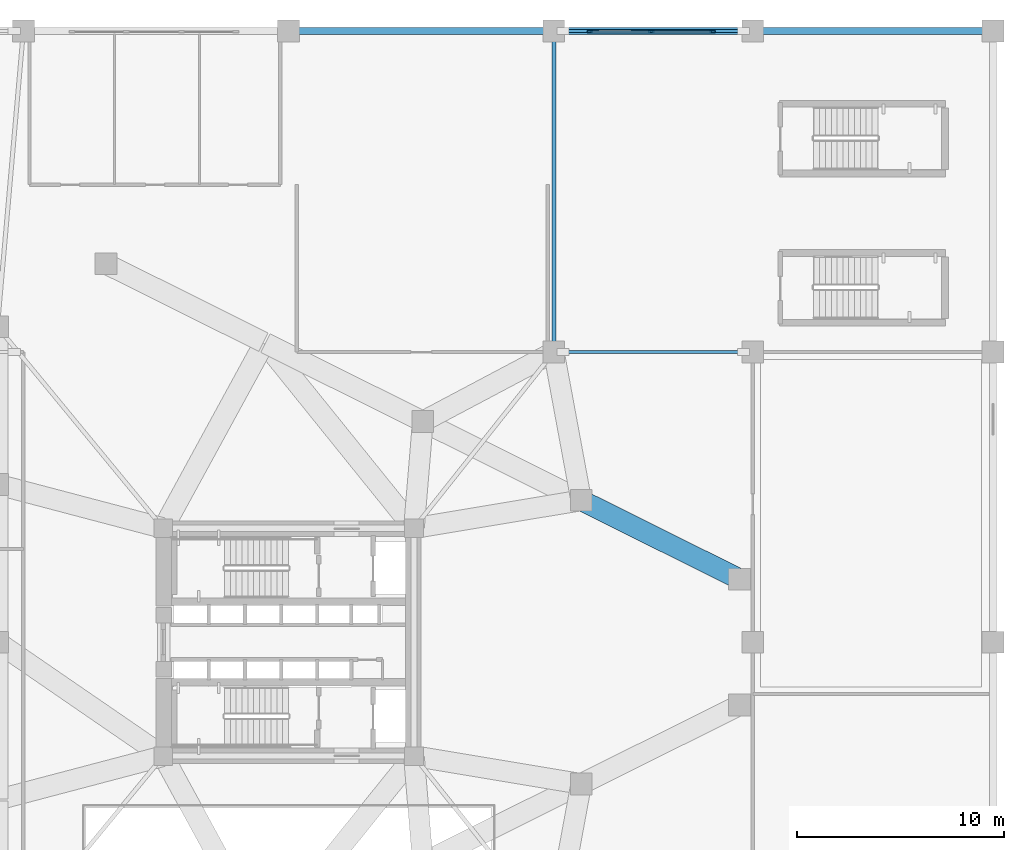
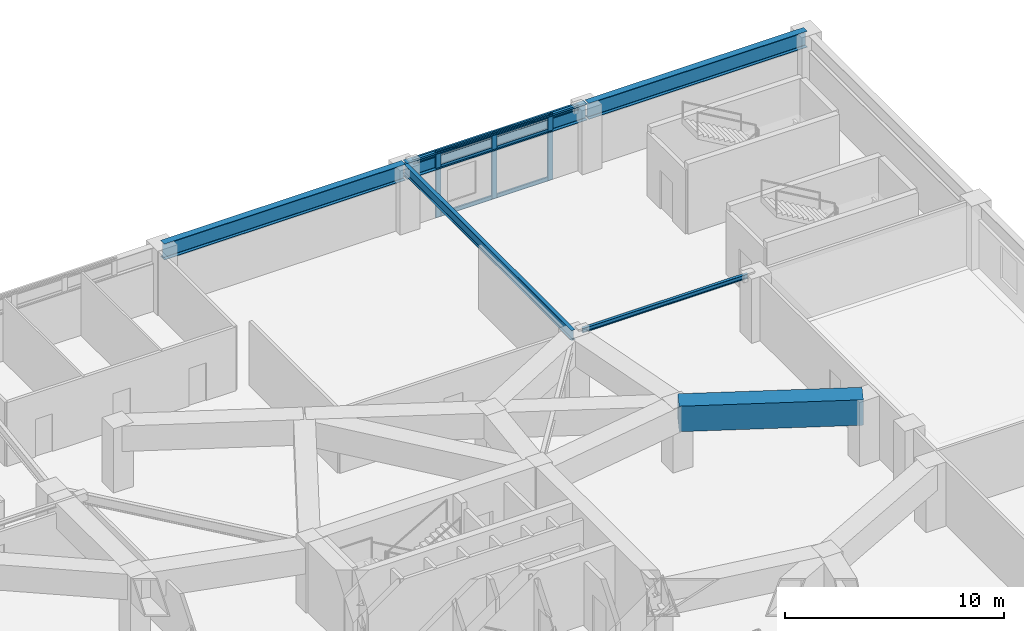
# One storey, part 3 of 16: 11 members, 5 beams, 1 element without a shape of its own.
"""IFC4 building model written with IfcOpenShell, lengths in metres."""

from ifc_helpers import new_model, si_unit, direction, frame, origin, origin_2d, place, context, subcontext, project, spatial, rectangle, hollow_rectangle, i_section, extrude, source, transform, mapped, material, layer, layer_set, material_profile, profile_set, type_object, element, aggregate, save


model = new_model("IFC4")

# Units and contexts
model_context = context("Model", 3, precision=1e-05, world=origin(), true_north=direction((0.0, 1.0)))
body_context = subcontext(model_context, "Body", "Model", "MODEL_VIEW")
ifc_project = project(units=[si_unit("LENGTHUNIT", "METRE"), si_unit("AREAUNIT", "SQUARE_METRE"), si_unit("VOLUMEUNIT", "CUBIC_METRE"), si_unit("PLANEANGLEUNIT", "RADIAN"), si_unit("MASSUNIT", "GRAM", prefix="KILO")], contexts=[model_context])

# Site, building, storey
site_placement = place(None, origin())
site = spatial("IfcSite", under=ifc_project, at=site_placement, CompositionType="ELEMENT")
building_placement = place(site_placement, origin())
building = spatial("IfcBuilding", under=site, at=building_placement, Name="Yunling Apex Tower", CompositionType="ELEMENT")
storey_placement = place(building_placement, frame((0.0, 0.0, 16.199951171875)))
storey = spatial("IfcBuildingStorey", under=building, at=storey_placement, Name="L05", CompositionType="ELEMENT", Elevation=16.199951171875)

# Beams
ifc_material_1 = material(Name="Steel Q355B", Category="steel")
ifc_material_profile_1 = material_profile(ifc_material_1, i_section(OverallWidth=0.35009765625, OverallDepth=0.89990234375, WebThickness=0.01806640625, FlangeThickness=0.028076171875, FilletRadius=0.02392578125, at=origin_2d()))
ifc_profile_set_1 = profile_set([ifc_material_profile_1], Name="Steel Q355B")
beam_type_1 = type_object("IfcBeamType", Name="BG-PRI-1", PredefinedType="USERDEFINED", material=ifc_profile_set_1)
shared_shape_1 = source(origin(), body_context, "Body", "SweptSolid", [
    extrude(i_section(OverallWidth=0.35009765625, OverallDepth=0.89990234375, WebThickness=0.01806640625, FlangeThickness=0.028076171875, FilletRadius=0.02392578125, at=origin_2d()), origin(), (0.0, 0.0, 1.0), 11.52001953125),
])
beam_1_placement = place(storey_placement, frame((22.43994140625, 29.5, 3.130126953125), z_axis=(1.0, 0.0, 0.0), x_axis=(0.0, 1.0, 0.0)))
element("IfcBeam", 1, at=beam_1_placement, inside=storey, type_object=beam_type_1, Name="L05 Podium Edge Girder 12", ObjectType="GIRDER", PredefinedType="USERDEFINED", context=body_context, shape_type="MappedRepresentation", body=[
    mapped(shared_shape_1, transform((0.0, 0.0, 0.0), scale=1.0)),
])
shared_shape_2 = source(origin(), body_context, "Body", "SweptSolid", [
    extrude(i_section(OverallWidth=0.35009765625, OverallDepth=0.89990234375, WebThickness=0.01806640625, FlangeThickness=0.028076171875, FilletRadius=0.02392578125, at=origin_2d()), origin(), (0.0, 0.0, 1.0), 9.52001953125),
])
beam_2_placement = place(storey_placement, frame((12.840087890625, 29.5, 3.130126953125), z_axis=(1.0, 0.0, 0.0), x_axis=(0.0, 1.0, 0.0)))
element("IfcBeam", 2, at=beam_2_placement, inside=storey, type_object=beam_type_1, Name="L05 Podium Edge Girder 11", ObjectType="GIRDER", PredefinedType="USERDEFINED", context=body_context, shape_type="MappedRepresentation", body=[
    mapped(shared_shape_2, transform((0.0, 0.0, 0.0), scale=1.0)),
])
shared_shape_3 = source(origin(), body_context, "Body", "SweptSolid", [
    extrude(i_section(OverallWidth=0.35009765625, OverallDepth=0.89990234375, WebThickness=0.01806640625, FlangeThickness=0.028076171875, FilletRadius=0.02392578125, at=origin_2d()), origin(), (0.0, 0.0, 1.0), 12.719970703125),
])
beam_3_placement = place(storey_placement, frame((0.0400390625, 29.5, 3.130126953125), z_axis=(1.0, 0.0, 0.0), x_axis=(0.0, 1.0, 0.0)))
element("IfcBeam", 3, at=beam_3_placement, inside=storey, type_object=beam_type_1, Name="L05 Podium Edge Girder 10", ObjectType="GIRDER", PredefinedType="USERDEFINED", context=body_context, shape_type="MappedRepresentation", body=[
    mapped(shared_shape_3, transform((0.0, 0.0, 0.0), scale=1.0)),
])
ifc_material_profile_2 = material_profile(ifc_material_1, i_section(OverallWidth=0.199951171875, OverallDepth=0.550048828125, WebThickness=0.010009765625, FlangeThickness=0.01611328125, FilletRadius=0.02001953125, at=origin_2d()))
ifc_profile_set_2 = profile_set([ifc_material_profile_2], Name="Steel Q355B")
beam_type_2 = type_object("IfcBeamType", Name="BS-SEC-1", PredefinedType="BEAM", material=ifc_profile_set_2)
shared_shape_4 = source(origin(), body_context, "Body", "SweptSolid", [
    extrude(i_section(OverallWidth=0.199951171875, OverallDepth=0.550048828125, WebThickness=0.010009765625, FlangeThickness=0.01611328125, FilletRadius=0.02001953125, at=origin_2d()), origin(), (0.0, 0.0, 1.0), 15.419921875),
])
beam_4_placement = place(storey_placement, frame((12.800048828125, 29.4599609375, 3.304931640625), z_axis=(0.0, -1.0, 0.0), x_axis=(1.0, 0.0, 0.0)))
element("IfcBeam", 4, at=beam_4_placement, inside=storey, type_object=beam_type_2, Name="L05 Podium Secondary Beam 3", PredefinedType="BEAM", context=body_context, shape_type="MappedRepresentation", body=[
    mapped(shared_shape_4, transform((0.0, 0.0, 0.0), scale=1.0)),
])
ifc_material_2 = material(Name="Steel Q390GJC", Category="steel")
ifc_material_profile_3 = material_profile(ifc_material_2, hollow_rectangle(XDim=1.0, YDim=1.419921875, WallThickness=0.054931640625, at=origin_2d()))
ifc_profile_set_3 = profile_set([ifc_material_profile_3], Name="Steel Q390GJC")
beam_type_3 = type_object("IfcBeamType", Name="BTPOD-1", PredefinedType="USERDEFINED", material=ifc_profile_set_3)
shared_shape_5 = source(origin(), body_context, "Body", "SweptSolid", [
    extrude(hollow_rectangle(XDim=1.0, YDim=1.419921875, WallThickness=0.054931640625, at=origin_2d()), origin(), (0.0, 0.0, 1.0), 8.43896484375),
])
beam_5_placement = place(storey_placement, frame((21.721435546875, 3.06103515625, 2.8701171875), z_axis=(-0.895241531169, 0.445581194476, 0.0), x_axis=(-0.445581194476, -0.895241531169, 0.0)))
element("IfcBeam", 5, at=beam_5_placement, inside=storey, type_object=beam_type_3, Name="L05 Podium-to-Tower Box Transfer Girder 6", ObjectType="GIRDER", PredefinedType="USERDEFINED", context=body_context, shape_type="MappedRepresentation", body=[
    mapped(shared_shape_5, transform((0.0, 0.0, 0.0), scale=1.0)),
])

# Members
ifc_material_profile_4 = material_profile(ifc_material_1, i_section(OverallWidth=0.14990234375, OverallDepth=0.25, WebThickness=0.008056640625, FlangeThickness=0.011962890625, FilletRadius=0.011962890625, at=origin_2d()))
ifc_profile_set_4 = profile_set([ifc_material_profile_4], Name="Steel Q355B")
member_type_1 = type_object("IfcMemberType", Name="CR-PUR-2", PredefinedType="PURLIN", material=ifc_profile_set_4)
shared_shape_6 = source(origin(), body_context, "Body", "SweptSolid", [
    extrude(i_section(OverallWidth=0.14990234375, OverallDepth=0.25, WebThickness=0.008056640625, FlangeThickness=0.011962890625, FilletRadius=0.011962890625, at=origin_2d()), origin(), (0.0, 0.0, 1.0), 8.719970703125),
])
for number, where, z_axis, x_axis, name in (
    (6, (13.239990234375, 14.0, 3.455078125), (1.0, 0.0, 0.0), (0.0, 1.0, 0.0), "L05 Garden Deck Glazing Purlin 5"),
    (7, (13.239990234375, 29.5, 3.455078125), (1.0, 0.0, 0.0), (0.0, 1.0, 0.0), "L05 Garden Deck Glazing Purlin 6"),
):
    element("IfcMember", number, at=place(storey_placement, frame(where, z_axis=z_axis, x_axis=x_axis)), inside=storey, type_object=member_type_1, Name=name, PredefinedType="PURLIN", context=body_context, shape_type="MappedRepresentation", body=[
        mapped(shared_shape_6, transform((0.0, 0.0, 0.0), scale=1.0)),
    ])

# Curtain wall, members
ifc_material_3 = material(Name="Bronze anodised aluminium", Category="aluminium")
ifc_layer = layer(ifc_material_3, 0.280029296875)
ifc_layer_set = layer_set([ifc_layer], Name="Bronze anodised aluminium")
curtain_wall_type = type_object("IfcCurtainWallType", Name="CW-SYS-1", PredefinedType="NOTDEFINED", material=ifc_layer_set)
curtain_wall_placement = place(storey_placement, origin())
curtain_wall = element("IfcCurtainWall", 8, at=curtain_wall_placement, inside=storey, type_object=curtain_wall_type, Name="CW-POD-L05-2", PredefinedType="NOTDEFINED")
ifc_material_profile_5 = material_profile(ifc_material_3, rectangle(XDim=0.090087890625, YDim=0.215087890625, at=origin_2d()))
ifc_profile_set_5 = profile_set([ifc_material_profile_5], Name="Bronze anodised aluminium")
member_type_2 = type_object("IfcMemberType", Name="CW-TRN-1", PredefinedType="USERDEFINED", material=ifc_profile_set_5)
shared_shape_7 = source(origin(), body_context, "Body", "SweptSolid", [
    extrude(rectangle(XDim=0.090087890625, YDim=0.215087890625, at=origin_2d()), origin(), (0.0, 0.0, 1.0), 2.8740234375),
])
member_1_placement = place(storey_placement, frame((14.58544921875, 29.449951171875, 0.045166015625), z_axis=(1.0, 0.0, 0.0), x_axis=(0.0, 1.0, 0.0)))
member_1 = element("IfcMember", 9, at=member_1_placement, type_object=member_type_2, Name="CW-SYS-1 transom 1.1", ObjectType="TRANSOM", PredefinedType="USERDEFINED", context=body_context, shape_type="MappedRepresentation", body=[
    mapped(shared_shape_7, transform((0.0, 0.0, 0.0), scale=1.0)),
])
member_2_placement = place(storey_placement, frame((14.58544921875, 29.449951171875, 2.72998046875), z_axis=(1.0, 0.0, 0.0), x_axis=(0.0, 1.0, 0.0)))
member_2 = element("IfcMember", 10, at=member_2_placement, type_object=member_type_2, Name="CW-SYS-1 transom 1.2", ObjectType="TRANSOM", PredefinedType="USERDEFINED", context=body_context, shape_type="MappedRepresentation", body=[
    mapped(shared_shape_7, transform((0.0, 0.0, 0.0), scale=1.0)),
])
member_3_placement = place(storey_placement, frame((14.58544921875, 29.449951171875, 3.53515625), z_axis=(1.0, 0.0, 0.0), x_axis=(0.0, 1.0, 0.0)))
member_3 = element("IfcMember", 11, at=member_3_placement, type_object=member_type_2, Name="CW-SYS-1 transom 1.3", ObjectType="TRANSOM", PredefinedType="USERDEFINED", context=body_context, shape_type="MappedRepresentation", body=[
    mapped(shared_shape_7, transform((0.0, 0.0, 0.0), scale=1.0)),
])
member_4_placement = place(storey_placement, frame((17.54052734375, 29.449951171875, 0.045166015625), z_axis=(1.0, 0.0, 0.0), x_axis=(0.0, 1.0, 0.0)))
member_4 = element("IfcMember", 12, at=member_4_placement, type_object=member_type_2, Name="CW-SYS-1 transom 2.1", ObjectType="TRANSOM", PredefinedType="USERDEFINED", context=body_context, shape_type="MappedRepresentation", body=[
    mapped(shared_shape_7, transform((0.0, 0.0, 0.0), scale=1.0)),
])
member_5_placement = place(storey_placement, frame((17.54052734375, 29.449951171875, 2.72998046875), z_axis=(1.0, 0.0, 0.0), x_axis=(0.0, 1.0, 0.0)))
member_5 = element("IfcMember", 13, at=member_5_placement, type_object=member_type_2, Name="CW-SYS-1 transom 2.2", ObjectType="TRANSOM", PredefinedType="USERDEFINED", context=body_context, shape_type="MappedRepresentation", body=[
    mapped(shared_shape_7, transform((0.0, 0.0, 0.0), scale=1.0)),
])
member_6_placement = place(storey_placement, frame((17.54052734375, 29.449951171875, 3.53515625), z_axis=(1.0, 0.0, 0.0), x_axis=(0.0, 1.0, 0.0)))
member_6 = element("IfcMember", 14, at=member_6_placement, type_object=member_type_2, Name="CW-SYS-1 transom 2.3", ObjectType="TRANSOM", PredefinedType="USERDEFINED", context=body_context, shape_type="MappedRepresentation", body=[
    mapped(shared_shape_7, transform((0.0, 0.0, 0.0), scale=1.0)),
])
ifc_material_profile_6 = material_profile(ifc_material_3, rectangle(XDim=0.090087890625, YDim=0.280029296875, at=origin_2d()))
ifc_profile_set_6 = profile_set([ifc_material_profile_6], Name="Bronze anodised aluminium")
member_type_3 = type_object("IfcMemberType", Name="CW-MUL-1", PredefinedType="MULLION", material=ifc_profile_set_6)
shared_shape_8 = source(origin(), body_context, "Body", "SweptSolid", [
    extrude(rectangle(XDim=0.090087890625, YDim=0.280029296875, at=origin_2d()), origin(), (0.0, 0.0, 1.0), 3.68017578125),
])
member_7_placement = place(storey_placement, frame((14.544921875, 29.449951171875, -0.050048828125), z_axis=(0.0, 0.0, 1.0), x_axis=(0.0, 1.0, 0.0)))
member_7 = element("IfcMember", 15, at=member_7_placement, type_object=member_type_3, Name="CW-SYS-1 mullion 1", PredefinedType="MULLION", context=body_context, shape_type="MappedRepresentation", body=[
    mapped(shared_shape_8, transform((0.0, 0.0, 0.0), scale=1.0)),
])
member_8_placement = place(storey_placement, frame((17.5, 29.449951171875, -0.050048828125), z_axis=(0.0, 0.0, 1.0), x_axis=(0.0, 1.0, 0.0)))
member_8 = element("IfcMember", 16, at=member_8_placement, type_object=member_type_3, Name="CW-SYS-1 mullion 2", PredefinedType="MULLION", context=body_context, shape_type="MappedRepresentation", body=[
    mapped(shared_shape_8, transform((0.0, 0.0, 0.0), scale=1.0)),
])
member_9_placement = place(storey_placement, frame((20.455078125, 29.449951171875, -0.050048828125), z_axis=(0.0, 0.0, 1.0), x_axis=(0.0, 1.0, 0.0)))
member_9 = element("IfcMember", 17, at=member_9_placement, type_object=member_type_3, Name="CW-SYS-1 mullion 3", PredefinedType="MULLION", context=body_context, shape_type="MappedRepresentation", body=[
    mapped(shared_shape_8, transform((0.0, 0.0, 0.0), scale=1.0)),
])
aggregate(curtain_wall, [member_7, member_8, member_9, member_1, member_2, member_3, member_4, member_5, member_6])

save(model, "model.ifc")
